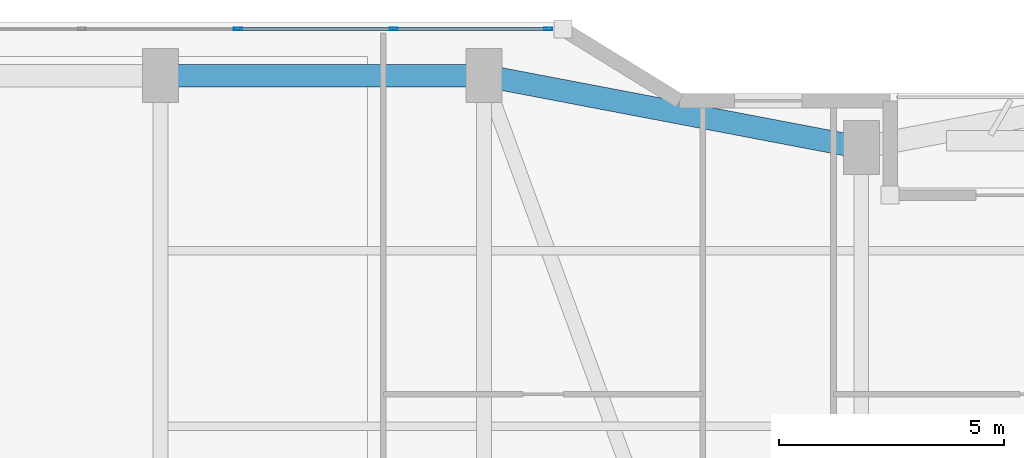
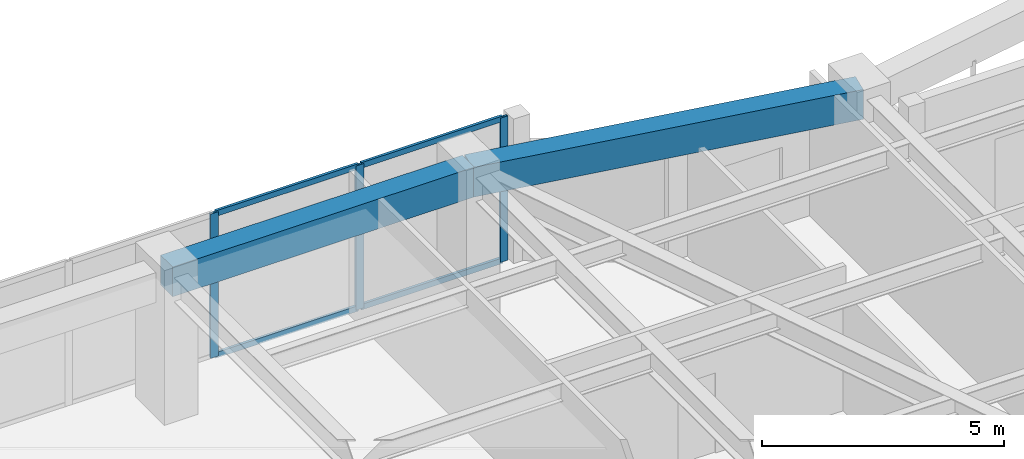
# One storey, part 14 of 24: 7 members, 2 beams, 1 element without a shape of its own.
"""IFC4 building model written with IfcOpenShell, lengths in metres."""

from ifc_helpers import new_model, si_unit, direction, frame, origin, origin_2d, place, context, subcontext, project, spatial, rectangle, hollow_rectangle, extrude, material, layer, layer_set, material_profile, profile_set, type_object, element, aggregate, save


model = new_model("IFC4")

# Units and contexts
model_context = context("Model", 3, precision=1e-05, world=origin(), true_north=direction((0.0, 1.0)))
body_context = subcontext(model_context, "Body", "Model", "MODEL_VIEW")
ifc_project = project(units=[si_unit("LENGTHUNIT", "METRE"), si_unit("AREAUNIT", "SQUARE_METRE"), si_unit("VOLUMEUNIT", "CUBIC_METRE"), si_unit("PLANEANGLEUNIT", "RADIAN"), si_unit("MASSUNIT", "GRAM", prefix="KILO")], contexts=[model_context])

# Site, building, storey
site_placement = place(None, origin())
site = spatial("IfcSite", under=ifc_project, at=site_placement, CompositionType="ELEMENT")
building_placement = place(site_placement, origin())
building = spatial("IfcBuilding", under=site, at=building_placement, Name="Kiyonajd Concourse Tower", CompositionType="ELEMENT")
storey_placement = place(building_placement, frame((0.0, 0.0, 137.699951171875)))
storey = spatial("IfcBuildingStorey", under=building, at=storey_placement, Name="L35", CompositionType="ELEMENT", Elevation=137.699951171875)

# Beams
ifc_material_1 = material(Name="Precast concrete C50/60", Category="concrete")
ifc_material_profile_1 = material_profile(ifc_material_1, rectangle(XDim=0.5, YDim=0.75, at=origin_2d()), Name="RCBM-500x750")
ifc_profile_set_1 = profile_set([ifc_material_profile_1], Name="Precast concrete C50/60")
beam_type = type_object("IfcBeamType", Name="BM-SPAN-RC", PredefinedType="SPANDREL", material=ifc_profile_set_1)
beam_1_placement = place(storey_placement, frame((48.0, 59.60009765625, 3.26513671875), z_axis=(-0.982341315253, 0.187097675953, 0.0), x_axis=(-0.187097675953, -0.982341315253, 0.0)))
element("IfcBeam", 1, at=beam_1_placement, inside=storey, type_object=beam_type, Name="L35 Perimeter Bundled Tube Spandrel", PredefinedType="SPANDREL", context=body_context, shape_type="SweptSolid", body=[
    extrude(rectangle(XDim=0.5, YDim=0.75, at=origin_2d()), origin(), (0.0, 0.0, 1.0), 8.55078125),
])
beam_2_placement = place(storey_placement, frame((39.60009765625, 61.199951171875, 3.26513671875), z_axis=(-1.0, 0.0, 0.0), x_axis=(0.0, -1.0, 0.0)))
element("IfcBeam", 2, at=beam_2_placement, inside=storey, type_object=beam_type, Name="L35 Perimeter Bundled Tube Spandrel", PredefinedType="SPANDREL", context=body_context, shape_type="SweptSolid", body=[
    extrude(rectangle(XDim=0.5, YDim=0.75, at=origin_2d()), origin(), (0.0, 0.0, 1.0), 7.2001953125),
])

# Curtain wall, members
ifc_material_2 = material(Name="Thermally Broken Anodised Aluminium", Category="aluminium")
ifc_layer = layer(ifc_material_2, 0.179931640625)
ifc_layer_set = layer_set([ifc_layer], Name="Thermally Broken Anodised Aluminium")
curtain_wall_type = type_object("IfcCurtainWallType", Name="CW-SYS-03", PredefinedType="NOTDEFINED", material=ifc_layer_set)
curtain_wall_placement = place(storey_placement, origin())
curtain_wall = element("IfcCurtainWall", 3, at=curtain_wall_placement, inside=storey, type_object=curtain_wall_type, Name="L35 Unitised Curtain Wall CW3", PredefinedType="NOTDEFINED")
ifc_material_profile_2 = material_profile(ifc_material_2, hollow_rectangle(XDim=0.06494140625, YDim=0.179931640625, WallThickness=0.00390625, at=origin_2d()), Name="MULL-65x180")
ifc_profile_set_2 = profile_set([ifc_material_profile_2], Name="Thermally Broken Anodised Aluminium")
member_type_1 = type_object("IfcMemberType", Name="MB-CW-MULL1", PredefinedType="MULLION", material=ifc_profile_set_2)
member_1_placement = place(storey_placement, frame((34.123291015625, 62.239990234375, 0.0), z_axis=(0.0, 0.0, 1.0), x_axis=(0.0, 1.0, 0.0)))
member_1 = element("IfcMember", 4, at=member_1_placement, type_object=member_type_1, Name="CW3 mullion 4", PredefinedType="MULLION", context=body_context, shape_type="SweptSolid", body=[
    extrude(hollow_rectangle(XDim=0.06494140625, YDim=0.179931640625, WallThickness=0.00390625, at=origin_2d()), origin(), (0.0, 0.0, 1.0), 3.64013671875),
])
member_2_placement = place(storey_placement, frame((37.593994140625, 62.239990234375, 0.0), z_axis=(0.0, 0.0, 1.0), x_axis=(0.0, 1.0, 0.0)))
member_2 = element("IfcMember", 5, at=member_2_placement, type_object=member_type_1, Name="CW3 mullion 5", PredefinedType="MULLION", context=body_context, shape_type="SweptSolid", body=[
    extrude(hollow_rectangle(XDim=0.06494140625, YDim=0.179931640625, WallThickness=0.00390625, at=origin_2d()), origin(), (0.0, 0.0, 1.0), 3.64013671875),
])
member_3_placement = place(storey_placement, frame((41.0322265625, 62.239990234375, 0.0), z_axis=(0.0, 0.0, 1.0), x_axis=(0.0, 1.0, 0.0)))
member_3 = element("IfcMember", 6, at=member_3_placement, type_object=member_type_1, Name="CW3 mullion 6", PredefinedType="MULLION", context=body_context, shape_type="SweptSolid", body=[
    extrude(hollow_rectangle(XDim=0.06494140625, YDim=0.179931640625, WallThickness=0.00390625, at=origin_2d()), origin(), (0.0, 0.0, 1.0), 3.64013671875),
])
ifc_material_profile_3 = material_profile(ifc_material_2, hollow_rectangle(XDim=0.06494140625, YDim=0.139892578125, WallThickness=0.00390625, at=origin_2d()), Name="TRAN-65x140")
ifc_profile_set_3 = profile_set([ifc_material_profile_3], Name="Thermally Broken Anodised Aluminium")
member_type_2 = type_object("IfcMemberType", Name="MB-CW-TRAN1", PredefinedType="USERDEFINED", material=ifc_profile_set_3)
member_4_placement = place(storey_placement, frame((34.15576171875, 62.239990234375, 0.032470703125), z_axis=(1.0, 0.0, 0.0), x_axis=(0.0, 1.0, 0.0)))
member_4 = element("IfcMember", 7, at=member_4_placement, type_object=member_type_2, Name="CW3 transom 4.1", ObjectType="TRANSOM", PredefinedType="USERDEFINED", context=body_context, shape_type="SweptSolid", body=[
    extrude(hollow_rectangle(XDim=0.06494140625, YDim=0.139892578125, WallThickness=0.00390625, at=origin_2d()), origin(), (0.0, 0.0, 1.0), 3.40576171875),
])
member_5_placement = place(storey_placement, frame((34.15576171875, 62.239990234375, 3.607666015625), z_axis=(1.0, 0.0, 0.0), x_axis=(0.0, 1.0, 0.0)))
member_5 = element("IfcMember", 8, at=member_5_placement, type_object=member_type_2, Name="CW3 transom 4.2", ObjectType="TRANSOM", PredefinedType="USERDEFINED", context=body_context, shape_type="SweptSolid", body=[
    extrude(hollow_rectangle(XDim=0.06494140625, YDim=0.139892578125, WallThickness=0.00390625, at=origin_2d()), origin(), (0.0, 0.0, 1.0), 3.40576171875),
])
member_6_placement = place(storey_placement, frame((37.62646484375, 62.239990234375, 0.032470703125), z_axis=(1.0, 0.0, 0.0), x_axis=(0.0, 1.0, 0.0)))
member_6 = element("IfcMember", 9, at=member_6_placement, type_object=member_type_2, Name="CW3 transom 5.1", ObjectType="TRANSOM", PredefinedType="USERDEFINED", context=body_context, shape_type="SweptSolid", body=[
    extrude(hollow_rectangle(XDim=0.06494140625, YDim=0.139892578125, WallThickness=0.00390625, at=origin_2d()), origin(), (0.0, 0.0, 1.0), 3.373291015625),
])
member_7_placement = place(storey_placement, frame((37.62646484375, 62.239990234375, 3.607666015625), z_axis=(1.0, 0.0, 0.0), x_axis=(0.0, 1.0, 0.0)))
member_7 = element("IfcMember", 10, at=member_7_placement, type_object=member_type_2, Name="CW3 transom 5.2", ObjectType="TRANSOM", PredefinedType="USERDEFINED", context=body_context, shape_type="SweptSolid", body=[
    extrude(hollow_rectangle(XDim=0.06494140625, YDim=0.139892578125, WallThickness=0.00390625, at=origin_2d()), origin(), (0.0, 0.0, 1.0), 3.373291015625),
])
aggregate(curtain_wall, [member_1, member_2, member_3, member_4, member_5, member_6, member_7])

save(model, "model.ifc")
